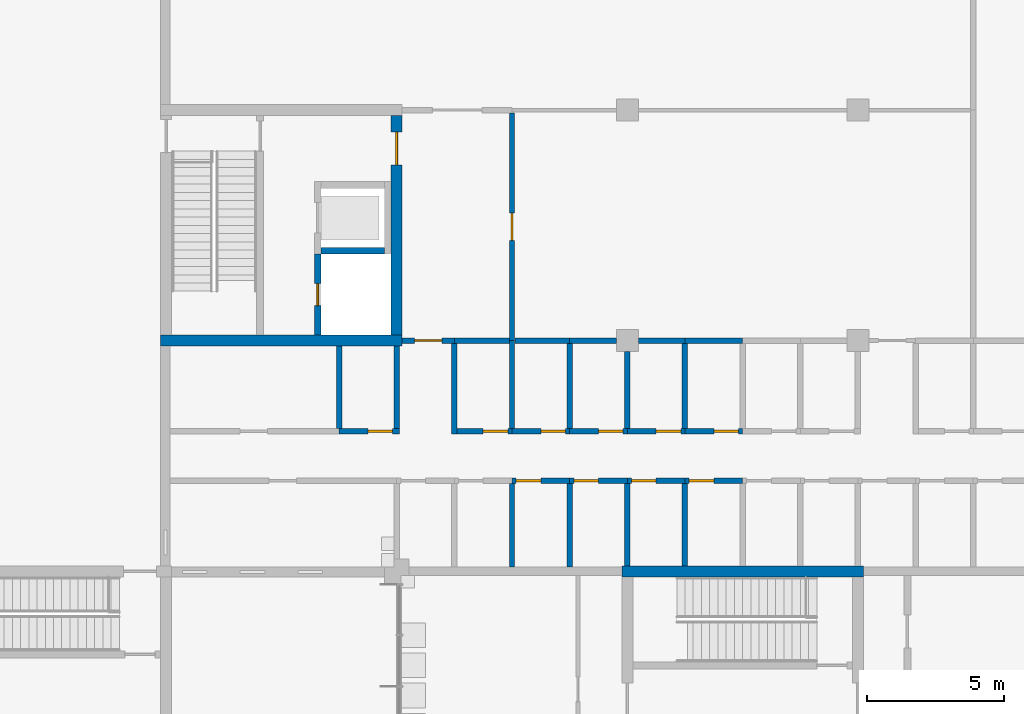
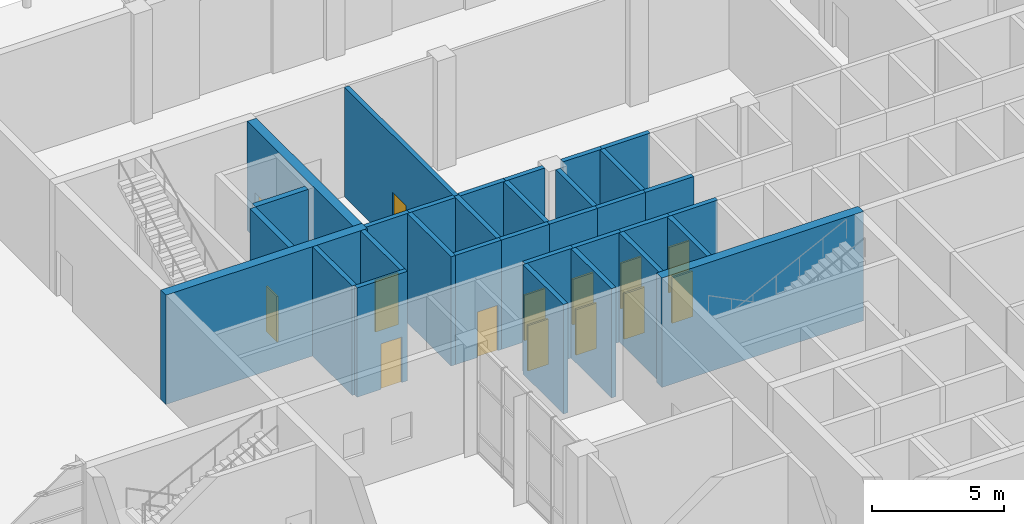
# One storey, part 47 of 76: 33 walls, 14 doors, 14 openings.
"""IFC4 building model written with IfcOpenShell, lengths in metres."""

from ifc_helpers import new_model, si_unit, direction, frame, frame_2d, origin, place, context, subcontext, project, spatial, rectangle, extrude, material, layer, layer_set, type_object, element, fill, save


model = new_model("IFC4")

# Units and contexts
model_context = context("Model", 3, precision=1e-05, world=origin(), true_north=direction((0.0, 1.0)))
body_context = subcontext(model_context, "Body", "Model", "MODEL_VIEW")
ifc_project = project(units=[si_unit("LENGTHUNIT", "METRE"), si_unit("AREAUNIT", "SQUARE_METRE"), si_unit("VOLUMEUNIT", "CUBIC_METRE"), si_unit("PLANEANGLEUNIT", "RADIAN"), si_unit("MASSUNIT", "GRAM", prefix="KILO")], contexts=[model_context])

# Site, building, storey
site_placement = place(None, origin())
site = spatial("IfcSite", under=ifc_project, at=site_placement, CompositionType="ELEMENT")
building_placement = place(site_placement, origin())
building = spatial("IfcBuilding", under=site, at=building_placement, Name="Hlaing Beacon Police Headquarters", CompositionType="ELEMENT")
storey_placement = place(building_placement, origin())
storey = spatial("IfcBuildingStorey", under=building, at=storey_placement, Name="L00", CompositionType="ELEMENT", Elevation=0.0)

# Walls
ifc_material_1 = material(Name="Concrete C60/75", Category="concrete")
ifc_layer_1 = layer(ifc_material_1, 0.39990234375)
ifc_layer_set_1 = layer_set([ifc_layer_1], Name="Concrete C60/75")
wall_type_1 = type_object("IfcWallType", Name="Core shear wall 400", PredefinedType="SHEAR", material=ifc_layer_set_1)
for number, where, z_axis, x_axis, name in (
    (1, (109.0, 67.199951171875, 0.0), (0.0, 0.0, 1.0), (1.0, 0.0, 0.0), "Core shear wall"),
    (2, (92.199951171875, 75.60009765625, 0.0), (0.0, 0.0, 1.0), (1.0, 0.0, 0.0), "Core shear wall"),
):
    element("IfcWall", number, at=place(storey_placement, frame(where, z_axis=z_axis, x_axis=x_axis)), inside=storey, type_object=wall_type_1, Name=name, PredefinedType="SHEAR", context=body_context, shape_type="SweptSolid", body=[
        extrude(rectangle(XDim=8.800048828125, YDim=0.39990234375, at=frame_2d((4.39990234375, 0.0))), origin(), (0.0, 0.0, 1.0), 5.050048828125),
    ])

# Wall, opening, door
wall_1_placement = place(storey_placement, frame((100.800048828125, 75.800048828125, 0.0), z_axis=(0.0, 0.0, 1.0), x_axis=(0.0, 1.0, 0.0)))
wall_1 = element("IfcWall", 3, at=wall_1_placement, inside=storey, type_object=wall_type_1, Name="Core shear wall", PredefinedType="SHEAR", context=body_context, shape_type="SweptSolid", body=[
    extrude(rectangle(XDim=8.0, YDim=0.39990234375, at=frame_2d((4.0, 0.0))), origin(), (0.0, 0.0, 1.0), 5.050048828125),
])
opening_1_placement = place(wall_1_placement, frame((6.199951171875, 0.0, 0.0)))
opening_1 = element("IfcOpeningElement", 4, at=opening_1_placement, cuts=wall_1, Name="Opening L00-977", PredefinedType="OPENING", context=body_context, shape_type="SweptSolid", body=[
    extrude(rectangle(XDim=1.199951171875, YDim=2.10009765625, at=frame_2d((0.60009765625, 1.050048828125))), frame((0.0, 0.2099609375, 0.0), z_axis=(0.0, -1.0, 0.0), x_axis=(1.0, 0.0, 0.0)), (0.0, 0.0, 1.0), 0.419921875),
])
ifc_material_2 = material(Name="Steel fire door leaf", Category="steel")
ifc_layer_2 = layer(ifc_material_2, 0.070068359375)
ifc_layer_set_2 = layer_set([ifc_layer_2], Name="Steel fire door leaf")
door_type_1 = type_object("IfcDoorType", Name="Steel fire door FD60S 1200x2100", OperationType="SINGLE_SWING_LEFT", PredefinedType="DOOR", material=ifc_layer_set_2)
door_1_placement = place(opening_1_placement, origin())
door_1 = element("IfcDoor", 5, at=door_1_placement, inside=storey, type_object=door_type_1, Name="Door Lift and Stair Lobby ST-Q Entry", OperationType="SINGLE_SWING_RIGHT", OverallHeight=2.10009765625, OverallWidth=1.199951171875, PredefinedType="DOOR", context=body_context, shape_type="SweptSolid", body=[
    extrude(rectangle(XDim=1.199951171875, YDim=2.10009765625, at=frame_2d((0.60009765625, 1.050048828125))), frame((0.0, 0.03515625, 0.0), z_axis=(0.0, -1.0, 0.0), x_axis=(1.0, 0.0, 0.0)), (0.0, 0.0, 1.0), 0.070068359375),
])
fill(opening_1, door_1)

# Walls
ifc_material_3 = material(Name="Concrete blockwork 7.5 N/mm2", Category="masonry")
ifc_layer_3 = layer(ifc_material_3, 0.199951171875)
ifc_layer_set_3 = layer_set([ifc_layer_3], Name="Concrete blockwork 7.5 N/mm2")
wall_type_2 = type_object("IfcWallType", Name="Custody wall EI 60 200", PredefinedType="PARTITIONING", material=ifc_layer_set_3)
wall_2_placement = place(storey_placement, frame((105.10009765625, 75.60009765625, 0.0), z_axis=(0.0, 0.0, 1.0), x_axis=(1.0, 0.0, 0.0)))
element("IfcWall", 6, at=wall_2_placement, inside=storey, type_object=wall_type_2, Name="Custody wall EI 60 200", PredefinedType="PARTITIONING", context=body_context, shape_type="SweptSolid", body=[
    extrude(rectangle(XDim=2.0, YDim=0.199951171875, at=frame_2d((1.0, 0.0))), origin(), (0.0, 0.0, 1.0), 5.050048828125),
])
for number, where, z_axis, x_axis, name in (
    (7, (107.10009765625, 75.60009765625, 0.0), (0.0, 0.0, 1.0), (1.0, 0.0, 0.0), "Custody wall EI 60 200"),
    (8, (109.60009765625, 75.60009765625, 0.0), (0.0, 0.0, 1.0), (1.0, 0.0, 0.0), "Custody wall EI 60 200"),
):
    element("IfcWall", number, at=place(storey_placement, frame(where, z_axis=z_axis, x_axis=x_axis)), inside=storey, type_object=wall_type_2, Name=name, PredefinedType="PARTITIONING", context=body_context, shape_type="SweptSolid", body=[
        extrude(rectangle(XDim=1.699951171875, YDim=0.199951171875, at=frame_2d((0.85009765625, 0.0))), origin(), (0.0, 0.0, 1.0), 5.050048828125),
    ])
wall_3_placement = place(storey_placement, frame((111.300048828125, 75.60009765625, 0.0), z_axis=(0.0, 0.0, 1.0), x_axis=(1.0, 0.0, 0.0)))
element("IfcWall", 9, at=wall_3_placement, inside=storey, type_object=wall_type_2, Name="Custody wall EI 60 200", PredefinedType="PARTITIONING", context=body_context, shape_type="SweptSolid", body=[
    extrude(rectangle(XDim=2.099853515625, YDim=0.199951171875, at=frame_2d((1.0498046875, 0.0))), origin(), (0.0, 0.0, 1.0), 5.050048828125),
])

# Wall, opening, door
wall_4_placement = place(storey_placement, frame((98.699951171875, 72.300048828125, 0.0), z_axis=(0.0, 0.0, 1.0), x_axis=(1.0, 0.0, 0.0)))
wall_4 = element("IfcWall", 10, at=wall_4_placement, inside=storey, type_object=wall_type_2, Name="Custody wall EI 60 200", PredefinedType="PARTITIONING", context=body_context, shape_type="SweptSolid", body=[
    extrude(rectangle(XDim=2.199951171875, YDim=0.199951171875, at=frame_2d((1.10009765625, 0.0))), origin(), (0.0, 0.0, 1.0), 5.050048828125),
])
opening_2_placement = place(wall_4_placement, frame((1.050048828125, 0.0, 0.0)))
opening_2 = element("IfcOpeningElement", 11, at=opening_2_placement, cuts=wall_4, Name="Opening L00-079", PredefinedType="OPENING", context=body_context, shape_type="SweptSolid", body=[
    extrude(rectangle(XDim=0.89990234375, YDim=2.10009765625, at=frame_2d((0.449951171875, 1.050048828125))), frame((0.0, 0.10986328125, 0.0), z_axis=(0.0, -1.0, 0.0), x_axis=(1.0, 0.0, 0.0)), (0.0, 0.0, 1.0), 0.219970703125),
])
ifc_material_4 = material(Name="Steel security door leaf", Category="steel")
ifc_layer_4 = layer(ifc_material_4, 0.080078125)
ifc_layer_set_4 = layer_set([ifc_layer_4], Name="Steel security door leaf")
door_type_2 = type_object("IfcDoorType", Name="Steel cell door FD30 900x2100", OperationType="SINGLE_SWING_LEFT", PredefinedType="DOOR", material=ifc_layer_set_4)
door_2_placement = place(opening_2_placement, origin())
door_2 = element("IfcDoor", 12, at=door_2_placement, inside=storey, type_object=door_type_2, Name="Door Cell 13", OperationType="SINGLE_SWING_LEFT", OverallHeight=2.10009765625, OverallWidth=0.89990234375, PredefinedType="DOOR", context=body_context, shape_type="SweptSolid", body=[
    extrude(rectangle(XDim=0.89990234375, YDim=2.10009765625, at=frame_2d((0.449951171875, 1.050048828125))), frame((0.0, 0.0400390625, 0.0), z_axis=(0.0, -1.0, 0.0), x_axis=(1.0, 0.0, 0.0)), (0.0, 0.0, 1.0), 0.080078125),
])
fill(opening_2, door_2)

# Walls
wall_5_placement = place(storey_placement, frame((100.800048828125, 72.39990234375, 0.0), z_axis=(0.0, 0.0, 1.0), x_axis=(0.0, 1.0, 0.0)))
element("IfcWall", 13, at=wall_5_placement, inside=storey, type_object=wall_type_2, Name="Custody wall EI 60 200", PredefinedType="PARTITIONING", context=body_context, shape_type="SweptSolid", body=[
    extrude(rectangle(XDim=3.0, YDim=0.199951171875, at=frame_2d((1.5, 0.0))), origin(), (0.0, 0.0, 1.0), 5.050048828125),
])
wall_6_placement = place(storey_placement, frame((102.89990234375, 72.199951171875, 0.0), z_axis=(0.0, 0.0, 1.0), x_axis=(0.0, 1.0, 0.0)))
element("IfcWall", 14, at=wall_6_placement, inside=storey, type_object=wall_type_2, Name="Custody wall EI 60 200", PredefinedType="PARTITIONING", context=body_context, shape_type="SweptSolid", body=[
    extrude(rectangle(XDim=3.300048828125, YDim=0.199951171875, at=frame_2d((1.64990234375, 0.0))), origin(), (0.0, 0.0, 1.0), 5.050048828125),
])

# Wall, opening, door
wall_7_placement = place(storey_placement, frame((103.0, 72.300048828125, 0.0), z_axis=(0.0, 0.0, 1.0), x_axis=(1.0, 0.0, 0.0)))
wall_7 = element("IfcWall", 15, at=wall_7_placement, inside=storey, type_object=wall_type_2, Name="Custody wall EI 60 200", PredefinedType="PARTITIONING", context=body_context, shape_type="SweptSolid", body=[
    extrude(rectangle(XDim=2.0, YDim=0.199951171875, at=frame_2d((1.0, 0.0))), origin(), (0.0, 0.0, 1.0), 5.050048828125),
])
opening_3_placement = place(wall_7_placement, frame((0.949951171875, 0.0, 0.0)))
opening_3 = element("IfcOpeningElement", 16, at=opening_3_placement, cuts=wall_7, Name="Opening L00-080", PredefinedType="OPENING", context=body_context, shape_type="SweptSolid", body=[
    extrude(rectangle(XDim=0.89990234375, YDim=2.10009765625, at=frame_2d((0.449951171875, 1.050048828125))), frame((0.0, 0.10986328125, 0.0), z_axis=(0.0, -1.0, 0.0), x_axis=(1.0, 0.0, 0.0)), (0.0, 0.0, 1.0), 0.219970703125),
])
door_3_placement = place(opening_3_placement, origin())
door_3 = element("IfcDoor", 17, at=door_3_placement, inside=storey, type_object=door_type_2, Name="Door Cell 14", OperationType="SINGLE_SWING_LEFT", OverallHeight=2.10009765625, OverallWidth=0.89990234375, PredefinedType="DOOR", context=body_context, shape_type="SweptSolid", body=[
    extrude(rectangle(XDim=0.89990234375, YDim=2.10009765625, at=frame_2d((0.449951171875, 1.050048828125))), frame((0.0, 0.0400390625, 0.0), z_axis=(0.0, -1.0, 0.0), x_axis=(1.0, 0.0, 0.0)), (0.0, 0.0, 1.0), 0.080078125),
])
fill(opening_3, door_3)

wall_8_placement = place(storey_placement, frame((105.0, 72.300048828125, 0.0), z_axis=(0.0, 0.0, 1.0), x_axis=(1.0, 0.0, 0.0)))
wall_8 = element("IfcWall", 18, at=wall_8_placement, inside=storey, type_object=wall_type_2, Name="Custody wall EI 60 200", PredefinedType="PARTITIONING", context=body_context, shape_type="SweptSolid", body=[
    extrude(rectangle(XDim=2.10009765625, YDim=0.199951171875, at=frame_2d((1.050048828125, 0.0))), origin(), (0.0, 0.0, 1.0), 5.050048828125),
])
opening_4_placement = place(wall_8_placement, frame((1.050048828125, 0.0, 0.0)))
opening_4 = element("IfcOpeningElement", 19, at=opening_4_placement, cuts=wall_8, Name="Opening L00-082", PredefinedType="OPENING", context=body_context, shape_type="SweptSolid", body=[
    extrude(rectangle(XDim=0.89990234375, YDim=2.10009765625, at=frame_2d((0.449951171875, 1.050048828125))), frame((0.0, 0.10986328125, 0.0), z_axis=(0.0, -1.0, 0.0), x_axis=(1.0, 0.0, 0.0)), (0.0, 0.0, 1.0), 0.219970703125),
])
door_4_placement = place(opening_4_placement, origin())
door_4 = element("IfcDoor", 20, at=door_4_placement, inside=storey, type_object=door_type_2, Name="Door Cell 15", OperationType="SINGLE_SWING_LEFT", OverallHeight=2.10009765625, OverallWidth=0.89990234375, PredefinedType="DOOR", context=body_context, shape_type="SweptSolid", body=[
    extrude(rectangle(XDim=0.89990234375, YDim=2.10009765625, at=frame_2d((0.449951171875, 1.050048828125))), frame((0.0, 0.0400390625, 0.0), z_axis=(0.0, -1.0, 0.0), x_axis=(1.0, 0.0, 0.0)), (0.0, 0.0, 1.0), 0.080078125),
])
fill(opening_4, door_4)

wall_9_placement = place(storey_placement, frame((107.10009765625, 72.300048828125, 0.0), z_axis=(0.0, 0.0, 1.0), x_axis=(1.0, 0.0, 0.0)))
wall_9 = element("IfcWall", 21, at=wall_9_placement, inside=storey, type_object=wall_type_2, Name="Custody wall EI 60 200", PredefinedType="PARTITIONING", context=body_context, shape_type="SweptSolid", body=[
    extrude(rectangle(XDim=2.099853515625, YDim=0.199951171875, at=frame_2d((1.0498046875, 0.0))), origin(), (0.0, 0.0, 1.0), 5.050048828125),
])
opening_5_placement = place(wall_9_placement, frame((1.050048828125, 0.0, 0.0)))
opening_5 = element("IfcOpeningElement", 22, at=opening_5_placement, cuts=wall_9, Name="Opening L00-083", PredefinedType="OPENING", context=body_context, shape_type="SweptSolid", body=[
    extrude(rectangle(XDim=0.89990234375, YDim=2.10009765625, at=frame_2d((0.449951171875, 1.050048828125))), frame((0.0, 0.10986328125, 0.0), z_axis=(0.0, -1.0, 0.0), x_axis=(1.0, 0.0, 0.0)), (0.0, 0.0, 1.0), 0.219970703125),
])
door_5_placement = place(opening_5_placement, origin())
door_5 = element("IfcDoor", 23, at=door_5_placement, inside=storey, type_object=door_type_2, Name="Door Cell 16", OperationType="SINGLE_SWING_LEFT", OverallHeight=2.10009765625, OverallWidth=0.89990234375, PredefinedType="DOOR", context=body_context, shape_type="SweptSolid", body=[
    extrude(rectangle(XDim=0.89990234375, YDim=2.10009765625, at=frame_2d((0.449951171875, 1.050048828125))), frame((0.0, 0.0400390625, 0.0), z_axis=(0.0, -1.0, 0.0), x_axis=(1.0, 0.0, 0.0)), (0.0, 0.0, 1.0), 0.080078125),
])
fill(opening_5, door_5)

wall_10_placement = place(storey_placement, frame((109.199951171875, 72.300048828125, 0.0), z_axis=(0.0, 0.0, 1.0), x_axis=(1.0, 0.0, 0.0)))
wall_10 = element("IfcWall", 24, at=wall_10_placement, inside=storey, type_object=wall_type_2, Name="Custody wall EI 60 200", PredefinedType="PARTITIONING", context=body_context, shape_type="SweptSolid", body=[
    extrude(rectangle(XDim=2.10009765625, YDim=0.199951171875, at=frame_2d((1.050048828125, 0.0))), origin(), (0.0, 0.0, 1.0), 5.050048828125),
])
opening_6_placement = place(wall_10_placement, frame((1.050048828125, 0.0, 0.0)))
opening_6 = element("IfcOpeningElement", 25, at=opening_6_placement, cuts=wall_10, Name="Opening L00-084", PredefinedType="OPENING", context=body_context, shape_type="SweptSolid", body=[
    extrude(rectangle(XDim=0.89990234375, YDim=2.10009765625, at=frame_2d((0.449951171875, 1.050048828125))), frame((0.0, 0.10986328125, 0.0), z_axis=(0.0, -1.0, 0.0), x_axis=(1.0, 0.0, 0.0)), (0.0, 0.0, 1.0), 0.219970703125),
])
door_6_placement = place(opening_6_placement, origin())
door_6 = element("IfcDoor", 26, at=door_6_placement, inside=storey, type_object=door_type_2, Name="Door Cell 17", OperationType="SINGLE_SWING_LEFT", OverallHeight=2.10009765625, OverallWidth=0.89990234375, PredefinedType="DOOR", context=body_context, shape_type="SweptSolid", body=[
    extrude(rectangle(XDim=0.89990234375, YDim=2.10009765625, at=frame_2d((0.449951171875, 1.050048828125))), frame((0.0, 0.0400390625, 0.0), z_axis=(0.0, -1.0, 0.0), x_axis=(1.0, 0.0, 0.0)), (0.0, 0.0, 1.0), 0.080078125),
])
fill(opening_6, door_6)

wall_11_placement = place(storey_placement, frame((111.300048828125, 72.300048828125, 0.0), z_axis=(0.0, 0.0, 1.0), x_axis=(1.0, 0.0, 0.0)))
wall_11 = element("IfcWall", 27, at=wall_11_placement, inside=storey, type_object=wall_type_2, Name="Custody wall EI 60 200", PredefinedType="PARTITIONING", context=body_context, shape_type="SweptSolid", body=[
    extrude(rectangle(XDim=2.099853515625, YDim=0.199951171875, at=frame_2d((1.0498046875, 0.0))), origin(), (0.0, 0.0, 1.0), 5.050048828125),
])
opening_7_placement = place(wall_11_placement, frame((1.050048828125, 0.0, 0.0)))
opening_7 = element("IfcOpeningElement", 28, at=opening_7_placement, cuts=wall_11, Name="Opening L00-085", PredefinedType="OPENING", context=body_context, shape_type="SweptSolid", body=[
    extrude(rectangle(XDim=0.89990234375, YDim=2.10009765625, at=frame_2d((0.449951171875, 1.050048828125))), frame((0.0, 0.10986328125, 0.0), z_axis=(0.0, -1.0, 0.0), x_axis=(1.0, 0.0, 0.0)), (0.0, 0.0, 1.0), 0.219970703125),
])
door_7_placement = place(opening_7_placement, origin())
door_7 = element("IfcDoor", 29, at=door_7_placement, inside=storey, type_object=door_type_2, Name="Door Cell 18", OperationType="SINGLE_SWING_LEFT", OverallHeight=2.10009765625, OverallWidth=0.89990234375, PredefinedType="DOOR", context=body_context, shape_type="SweptSolid", body=[
    extrude(rectangle(XDim=0.89990234375, YDim=2.10009765625, at=frame_2d((0.449951171875, 1.050048828125))), frame((0.0, 0.0400390625, 0.0), z_axis=(0.0, -1.0, 0.0), x_axis=(1.0, 0.0, 0.0)), (0.0, 0.0, 1.0), 0.080078125),
])
fill(opening_7, door_7)

wall_12_placement = place(storey_placement, frame((105.0, 70.5, 0.0), z_axis=(0.0, 0.0, 1.0), x_axis=(1.0, 0.0, 0.0)))
wall_12 = element("IfcWall", 30, at=wall_12_placement, inside=storey, type_object=wall_type_2, Name="Custody wall EI 60 200", PredefinedType="PARTITIONING", context=body_context, shape_type="SweptSolid", body=[
    extrude(rectangle(XDim=2.10009765625, YDim=0.199951171875, at=frame_2d((1.050048828125, 0.0))), origin(), (0.0, 0.0, 1.0), 5.050048828125),
])
opening_8_placement = place(wall_12_placement, frame((0.14990234375, 0.0, 0.0)))
opening_8 = element("IfcOpeningElement", 31, at=opening_8_placement, cuts=wall_12, Name="Opening L00-094", PredefinedType="OPENING", context=body_context, shape_type="SweptSolid", body=[
    extrude(rectangle(XDim=0.89990234375, YDim=2.10009765625, at=frame_2d((0.449951171875, 1.050048828125))), frame((0.0, 0.10986328125, 0.0), z_axis=(0.0, -1.0, 0.0), x_axis=(1.0, 0.0, 0.0)), (0.0, 0.0, 1.0), 0.219970703125),
])
door_8_placement = place(opening_8_placement, frame((0.89990234375, 0.0, 0.0), z_axis=(0.0, 0.0, 1.0), x_axis=(-1.0, 0.0, 0.0)))
door_8 = element("IfcDoor", 32, at=door_8_placement, inside=storey, type_object=door_type_2, Name="Door Cell 03", OperationType="SINGLE_SWING_LEFT", OverallHeight=2.10009765625, OverallWidth=0.89990234375, PredefinedType="DOOR", context=body_context, shape_type="SweptSolid", body=[
    extrude(rectangle(XDim=0.89990234375, YDim=2.10009765625, at=frame_2d((0.449951171875, 1.050048828125))), frame((0.0, 0.0400390625, 0.0), z_axis=(0.0, -1.0, 0.0), x_axis=(1.0, 0.0, 0.0)), (0.0, 0.0, 1.0), 0.080078125),
])
fill(opening_8, door_8)

wall_13_placement = place(storey_placement, frame((107.10009765625, 70.5, 0.0), z_axis=(0.0, 0.0, 1.0), x_axis=(1.0, 0.0, 0.0)))
wall_13 = element("IfcWall", 33, at=wall_13_placement, inside=storey, type_object=wall_type_2, Name="Custody wall EI 60 200", PredefinedType="PARTITIONING", context=body_context, shape_type="SweptSolid", body=[
    extrude(rectangle(XDim=2.099853515625, YDim=0.199951171875, at=frame_2d((1.0498046875, 0.0))), origin(), (0.0, 0.0, 1.0), 5.050048828125),
])
opening_9_placement = place(wall_13_placement, frame((0.14990234375, 0.0, 0.0)))
opening_9 = element("IfcOpeningElement", 34, at=opening_9_placement, cuts=wall_13, Name="Opening L00-095", PredefinedType="OPENING", context=body_context, shape_type="SweptSolid", body=[
    extrude(rectangle(XDim=0.89990234375, YDim=2.10009765625, at=frame_2d((0.449951171875, 1.050048828125))), frame((0.0, 0.10986328125, 0.0), z_axis=(0.0, -1.0, 0.0), x_axis=(1.0, 0.0, 0.0)), (0.0, 0.0, 1.0), 0.219970703125),
])
door_9_placement = place(opening_9_placement, frame((0.89990234375, 0.0, 0.0), z_axis=(0.0, 0.0, 1.0), x_axis=(-1.0, 0.0, 0.0)))
door_9 = element("IfcDoor", 35, at=door_9_placement, inside=storey, type_object=door_type_2, Name="Door Cell 04", OperationType="SINGLE_SWING_LEFT", OverallHeight=2.10009765625, OverallWidth=0.89990234375, PredefinedType="DOOR", context=body_context, shape_type="SweptSolid", body=[
    extrude(rectangle(XDim=0.89990234375, YDim=2.10009765625, at=frame_2d((0.449951171875, 1.050048828125))), frame((0.0, 0.0400390625, 0.0), z_axis=(0.0, -1.0, 0.0), x_axis=(1.0, 0.0, 0.0)), (0.0, 0.0, 1.0), 0.080078125),
])
fill(opening_9, door_9)

wall_14_placement = place(storey_placement, frame((109.199951171875, 70.5, 0.0), z_axis=(0.0, 0.0, 1.0), x_axis=(1.0, 0.0, 0.0)))
wall_14 = element("IfcWall", 36, at=wall_14_placement, inside=storey, type_object=wall_type_2, Name="Custody wall EI 60 200", PredefinedType="PARTITIONING", context=body_context, shape_type="SweptSolid", body=[
    extrude(rectangle(XDim=2.10009765625, YDim=0.199951171875, at=frame_2d((1.050048828125, 0.0))), origin(), (0.0, 0.0, 1.0), 5.050048828125),
])
opening_10_placement = place(wall_14_placement, frame((0.14990234375, 0.0, 0.0)))
opening_10 = element("IfcOpeningElement", 37, at=opening_10_placement, cuts=wall_14, Name="Opening L00-096", PredefinedType="OPENING", context=body_context, shape_type="SweptSolid", body=[
    extrude(rectangle(XDim=0.89990234375, YDim=2.10009765625, at=frame_2d((0.449951171875, 1.050048828125))), frame((0.0, 0.10986328125, 0.0), z_axis=(0.0, -1.0, 0.0), x_axis=(1.0, 0.0, 0.0)), (0.0, 0.0, 1.0), 0.219970703125),
])
door_10_placement = place(opening_10_placement, frame((0.89990234375, 0.0, 0.0), z_axis=(0.0, 0.0, 1.0), x_axis=(-1.0, 0.0, 0.0)))
door_10 = element("IfcDoor", 38, at=door_10_placement, inside=storey, type_object=door_type_2, Name="Door Cell 05", OperationType="SINGLE_SWING_LEFT", OverallHeight=2.10009765625, OverallWidth=0.89990234375, PredefinedType="DOOR", context=body_context, shape_type="SweptSolid", body=[
    extrude(rectangle(XDim=0.89990234375, YDim=2.10009765625, at=frame_2d((0.449951171875, 1.050048828125))), frame((0.0, 0.0400390625, 0.0), z_axis=(0.0, -1.0, 0.0), x_axis=(1.0, 0.0, 0.0)), (0.0, 0.0, 1.0), 0.080078125),
])
fill(opening_10, door_10)

wall_15_placement = place(storey_placement, frame((111.300048828125, 70.5, 0.0), z_axis=(0.0, 0.0, 1.0), x_axis=(1.0, 0.0, 0.0)))
wall_15 = element("IfcWall", 39, at=wall_15_placement, inside=storey, type_object=wall_type_2, Name="Custody wall EI 60 200", PredefinedType="PARTITIONING", context=body_context, shape_type="SweptSolid", body=[
    extrude(rectangle(XDim=2.099853515625, YDim=0.199951171875, at=frame_2d((1.0498046875, 0.0))), origin(), (0.0, 0.0, 1.0), 5.050048828125),
])
opening_11_placement = place(wall_15_placement, frame((0.14990234375, 0.0, 0.0)))
opening_11 = element("IfcOpeningElement", 40, at=opening_11_placement, cuts=wall_15, Name="Opening L00-097", PredefinedType="OPENING", context=body_context, shape_type="SweptSolid", body=[
    extrude(rectangle(XDim=0.89990234375, YDim=2.10009765625, at=frame_2d((0.449951171875, 1.050048828125))), frame((0.0, 0.10986328125, 0.0), z_axis=(0.0, -1.0, 0.0), x_axis=(1.0, 0.0, 0.0)), (0.0, 0.0, 1.0), 0.219970703125),
])
door_11_placement = place(opening_11_placement, frame((0.89990234375, 0.0, 0.0), z_axis=(0.0, 0.0, 1.0), x_axis=(-1.0, 0.0, 0.0)))
door_11 = element("IfcDoor", 41, at=door_11_placement, inside=storey, type_object=door_type_2, Name="Door Cell 06", OperationType="SINGLE_SWING_LEFT", OverallHeight=2.10009765625, OverallWidth=0.89990234375, PredefinedType="DOOR", context=body_context, shape_type="SweptSolid", body=[
    extrude(rectangle(XDim=0.89990234375, YDim=2.10009765625, at=frame_2d((0.449951171875, 1.050048828125))), frame((0.0, 0.0400390625, 0.0), z_axis=(0.0, -1.0, 0.0), x_axis=(1.0, 0.0, 0.0)), (0.0, 0.0, 1.0), 0.080078125),
])
fill(opening_11, door_11)

# Walls
wall_16_placement = place(storey_placement, frame((98.699951171875, 72.39990234375, 0.0), z_axis=(0.0, 0.0, 1.0), x_axis=(0.0, 1.0, 0.0)))
element("IfcWall", 42, at=wall_16_placement, inside=storey, type_object=wall_type_2, Name="Custody wall EI 60 200", PredefinedType="PARTITIONING", context=body_context, shape_type="SweptSolid", body=[
    extrude(rectangle(XDim=3.0, YDim=0.199951171875, at=frame_2d((1.5, 0.0))), origin(), (0.0, 0.0, 1.0), 5.050048828125),
])
wall_17_placement = place(storey_placement, frame((105.0, 72.39990234375, 0.0), z_axis=(0.0, 0.0, 1.0), x_axis=(0.0, 1.0, 0.0)))
element("IfcWall", 43, at=wall_17_placement, inside=storey, type_object=wall_type_2, Name="Custody wall EI 60 200", PredefinedType="PARTITIONING", context=body_context, shape_type="SweptSolid", body=[
    extrude(rectangle(XDim=3.2001953125, YDim=0.199951171875, at=frame_2d((1.60009765625, 0.0))), origin(), (0.0, 0.0, 1.0), 5.050048828125),
])
wall_18_placement = place(storey_placement, frame((107.10009765625, 72.39990234375, 0.0), z_axis=(0.0, 0.0, 1.0), x_axis=(0.0, 1.0, 0.0)))
element("IfcWall", 44, at=wall_18_placement, inside=storey, type_object=wall_type_2, Name="Custody wall EI 60 200", PredefinedType="PARTITIONING", context=body_context, shape_type="SweptSolid", body=[
    extrude(rectangle(XDim=3.10009765625, YDim=0.199951171875, at=frame_2d((1.550048828125, 0.0))), origin(), (0.0, 0.0, 1.0), 5.050048828125),
])
wall_19_placement = place(storey_placement, frame((109.199951171875, 72.39990234375, 0.0), z_axis=(0.0, 0.0, 1.0), x_axis=(0.0, 1.0, 0.0)))
element("IfcWall", 45, at=wall_19_placement, inside=storey, type_object=wall_type_2, Name="Custody wall EI 60 200", PredefinedType="PARTITIONING", context=body_context, shape_type="SweptSolid", body=[
    extrude(rectangle(XDim=2.800048828125, YDim=0.199951171875, at=frame_2d((1.39990234375, 0.0))), origin(), (0.0, 0.0, 1.0), 5.050048828125),
])
wall_20_placement = place(storey_placement, frame((111.300048828125, 72.39990234375, 0.0), z_axis=(0.0, 0.0, 1.0), x_axis=(0.0, 1.0, 0.0)))
element("IfcWall", 46, at=wall_20_placement, inside=storey, type_object=wall_type_2, Name="Custody wall EI 60 200", PredefinedType="PARTITIONING", context=body_context, shape_type="SweptSolid", body=[
    extrude(rectangle(XDim=3.10009765625, YDim=0.199951171875, at=frame_2d((1.550048828125, 0.0))), origin(), (0.0, 0.0, 1.0), 5.050048828125),
])
for number, where, z_axis, x_axis, name in (
    (47, (105.0, 67.35009765625, 0.0), (0.0, 0.0, 1.0), (0.0, 1.0, 0.0), "Custody wall EI 60 200"),
    (48, (107.10009765625, 67.35009765625, 0.0), (0.0, 0.0, 1.0), (0.0, 1.0, 0.0), "Custody wall EI 60 200"),
):
    element("IfcWall", number, at=place(storey_placement, frame(where, z_axis=z_axis, x_axis=x_axis)), inside=storey, type_object=wall_type_2, Name=name, PredefinedType="PARTITIONING", context=body_context, shape_type="SweptSolid", body=[
        extrude(rectangle(XDim=3.0498046875, YDim=0.199951171875, at=frame_2d((1.52490234375, 0.0))), origin(), (0.0, 0.0, 1.0), 5.050048828125),
    ])
for number, where, z_axis, x_axis, name in (
    (49, (109.199951171875, 67.39990234375, 0.0), (0.0, 0.0, 1.0), (0.0, 1.0, 0.0), "Custody wall EI 60 200"),
    (50, (111.300048828125, 67.39990234375, 0.0), (0.0, 0.0, 1.0), (0.0, 1.0, 0.0), "Custody wall EI 60 200"),
):
    element("IfcWall", number, at=place(storey_placement, frame(where, z_axis=z_axis, x_axis=x_axis)), inside=storey, type_object=wall_type_2, Name=name, PredefinedType="PARTITIONING", context=body_context, shape_type="SweptSolid", body=[
        extrude(rectangle(XDim=3.0, YDim=0.199951171875, at=frame_2d((1.5, 0.0))), origin(), (0.0, 0.0, 1.0), 5.050048828125),
    ])

# Wall, opening, door
ifc_material_5 = material(Name="Concrete blockwork 7.5 N/mm2", Category="masonry")
ifc_layer_5 = layer(ifc_material_5, 0.199951171875)
ifc_layer_set_5 = layer_set([ifc_layer_5], Name="Concrete blockwork 7.5 N/mm2")
wall_type_3 = type_object("IfcWallType", Name="Lobby wall EI 120 200", PredefinedType="PARTITIONING", material=ifc_layer_set_5)
wall_21_placement = place(storey_placement, frame((105.0, 75.60009765625, 0.0), z_axis=(0.0, 0.0, 1.0), x_axis=(0.0, 1.0, 0.0)))
wall_21 = element("IfcWall", 51, at=wall_21_placement, inside=storey, type_object=wall_type_3, Name="Lobby wall EI 120 200", PredefinedType="PARTITIONING", context=body_context, shape_type="SweptSolid", body=[
    extrude(rectangle(XDim=8.2998046875, YDim=0.199951171875, at=frame_2d((4.14990234375, 0.0))), origin(), (0.0, 0.0, 1.0), 5.050048828125),
])
opening_12_placement = place(wall_21_placement, frame((3.64990234375, 0.0, 0.0)))
opening_12 = element("IfcOpeningElement", 52, at=opening_12_placement, cuts=wall_21, Name="Opening L00-077", PredefinedType="OPENING", context=body_context, shape_type="SweptSolid", body=[
    extrude(rectangle(XDim=1.0, YDim=2.39990234375, at=frame_2d((0.5, 1.199951171875))), frame((0.0, 0.10986328125, 0.0), z_axis=(0.0, -1.0, 0.0), x_axis=(1.0, 0.0, 0.0)), (0.0, 0.0, 1.0), 0.219970703125),
])
ifc_material_6 = material(Name="Aluminium frame with safety glazing", Category="aluminium")
ifc_layer_6 = layer(ifc_material_6, 0.070068359375)
ifc_layer_set_6 = layer_set([ifc_layer_6], Name="Aluminium frame with safety glazing")
door_type_3 = type_object("IfcDoorType", Name="Fire glazed public door FD60S 1000x2400", OperationType="SINGLE_SWING_LEFT", PredefinedType="DOOR", material=ifc_layer_set_6)
door_12_placement = place(opening_12_placement, frame((1.0, 0.0, 0.0), z_axis=(0.0, 0.0, 1.0), x_axis=(-1.0, 0.0, 0.0)))
door_12 = element("IfcDoor", 53, at=door_12_placement, inside=storey, type_object=door_type_3, Name="Door Custody Suite Charge Desk and Booking Hall", OperationType="SINGLE_SWING_RIGHT", OverallHeight=2.39990234375, OverallWidth=1.0, PredefinedType="DOOR", context=body_context, shape_type="SweptSolid", body=[
    extrude(rectangle(XDim=1.0, YDim=2.39990234375, at=frame_2d((0.5, 1.199951171875))), frame((0.0, 0.034912109375, 0.0), z_axis=(0.0, -1.0, 0.0), x_axis=(1.0, 0.0, 0.0)), (0.0, 0.0, 1.0), 0.070068359375),
])
fill(opening_12, door_12)

wall_22_placement = place(storey_placement, frame((101.0, 75.60009765625, 0.0), z_axis=(0.0, 0.0, 1.0), x_axis=(1.0, 0.0, 0.0)))
wall_22 = element("IfcWall", 54, at=wall_22_placement, inside=storey, type_object=wall_type_3, Name="Lobby wall EI 120 200", PredefinedType="PARTITIONING", context=body_context, shape_type="SweptSolid", body=[
    extrude(rectangle(XDim=1.89990234375, YDim=0.199951171875, at=frame_2d((0.949951171875, 0.0))), origin(), (0.0, 0.0, 1.0), 5.050048828125),
])
opening_13_placement = place(wall_22_placement, frame((0.449951171875, 0.0, 0.0)))
opening_13 = element("IfcOpeningElement", 55, at=opening_13_placement, cuts=wall_22, Name="Opening L00-078", PredefinedType="OPENING", context=body_context, shape_type="SweptSolid", body=[
    extrude(rectangle(XDim=1.0, YDim=2.39990234375, at=frame_2d((0.5, 1.199951171875))), frame((0.0, 0.10986328125, 0.0), z_axis=(0.0, -1.0, 0.0), x_axis=(1.0, 0.0, 0.0)), (0.0, 0.0, 1.0), 0.219970703125),
])
ifc_material_7 = material(Name="Hardwood door leaf", Category="wood")
ifc_layer_7 = layer(ifc_material_7, 0.06005859375)
ifc_layer_set_7 = layer_set([ifc_layer_7], Name="Hardwood door leaf")
door_type_4 = type_object("IfcDoorType", Name="Fire public door FD60S 1000x2400", OperationType="SINGLE_SWING_LEFT", PredefinedType="DOOR", material=ifc_layer_set_7)
door_13_placement = place(opening_13_placement, origin())
door_13 = element("IfcDoor", 56, at=door_13_placement, inside=storey, type_object=door_type_4, Name="Door Custody Suite Lobby", OperationType="SINGLE_SWING_RIGHT", OverallHeight=2.39990234375, OverallWidth=1.0, PredefinedType="DOOR", context=body_context, shape_type="SweptSolid", body=[
    extrude(rectangle(XDim=1.0, YDim=2.39990234375, at=frame_2d((0.5, 1.199951171875))), frame((0.0, 0.030029296875, 0.0), z_axis=(0.0, -1.0, 0.0), x_axis=(1.0, 0.0, 0.0)), (0.0, 0.0, 1.0), 0.06005859375),
])
fill(opening_13, door_13)

# Wall
wall_23_placement = place(storey_placement, frame((102.89990234375, 75.60009765625, 0.0), z_axis=(0.0, 0.0, 1.0), x_axis=(1.0, 0.0, 0.0)))
element("IfcWall", 57, at=wall_23_placement, inside=storey, type_object=wall_type_3, Name="Lobby wall EI 120 200", PredefinedType="PARTITIONING", context=body_context, shape_type="SweptSolid", body=[
    extrude(rectangle(XDim=2.0, YDim=0.199951171875, at=frame_2d((1.0, 0.0))), origin(), (0.0, 0.0, 1.0), 5.050048828125),
])

# Wall, opening, door
ifc_material_8 = material(Name="Concrete C40/50", Category="concrete")
ifc_layer_8 = layer(ifc_material_8, 0.25)
ifc_layer_set_8 = layer_set([ifc_layer_8], Name="Concrete C40/50")
wall_type_4 = type_object("IfcWallType", Name="Shaft wall 250", PredefinedType="SOLIDWALL", material=ifc_layer_set_8)
wall_24_placement = place(storey_placement, frame((97.925048828125, 78.75, 0.0), z_axis=(0.0, 0.0, 1.0), x_axis=(0.0, -1.0, 0.0)))
wall_24 = element("IfcWall", 58, at=wall_24_placement, inside=storey, type_object=wall_type_4, Name="Lobby wall", PredefinedType="SOLIDWALL", context=body_context, shape_type="SweptSolid", body=[
    extrude(rectangle(XDim=2.949951171875, YDim=0.25, at=frame_2d((1.47509765625, 0.0))), origin(), (0.0, 0.0, 1.0), 5.050048828125),
])
opening_14_placement = place(wall_24_placement, frame((1.074951171875, 0.0, 0.0)))
opening_14 = element("IfcOpeningElement", 59, at=opening_14_placement, cuts=wall_24, Name="Opening L00-978", PredefinedType="OPENING", context=body_context, shape_type="SweptSolid", body=[
    extrude(rectangle(XDim=0.800048828125, YDim=2.10009765625, at=frame_2d((0.39990234375, 1.050048828125))), frame((0.0, 0.135009765625, 0.0), z_axis=(0.0, -1.0, 0.0), x_axis=(1.0, 0.0, 0.0)), (0.0, 0.0, 1.0), 0.27001953125),
])
ifc_material_9 = material(Name="Steel fire door leaf", Category="steel")
ifc_layer_9 = layer(ifc_material_9, 0.070068359375)
ifc_layer_set_9 = layer_set([ifc_layer_9], Name="Steel fire door leaf")
door_type_5 = type_object("IfcDoorType", Name="Steel fire door FD60 800x2100", OperationType="SINGLE_SWING_LEFT", PredefinedType="DOOR", material=ifc_layer_set_9)
door_14_placement = place(opening_14_placement, origin())
door_14 = element("IfcDoor", 60, at=door_14_placement, inside=storey, type_object=door_type_5, Name="Door Services Riser", OperationType="SINGLE_SWING_RIGHT", OverallHeight=2.10009765625, OverallWidth=0.800048828125, PredefinedType="DOOR", context=body_context, shape_type="SweptSolid", body=[
    extrude(rectangle(XDim=0.800048828125, YDim=2.10009765625, at=frame_2d((0.39990234375, 1.050048828125))), frame((0.0, 0.03515625, 0.0), z_axis=(0.0, -1.0, 0.0), x_axis=(1.0, 0.0, 0.0)), (0.0, 0.0, 1.0), 0.070068359375),
])
fill(opening_14, door_14)

# Wall
wall_25_placement = place(storey_placement, frame((98.050048828125, 78.875, 0.0), z_axis=(0.0, 0.0, 1.0), x_axis=(1.0, 0.0, 0.0)))
element("IfcWall", 61, at=wall_25_placement, inside=storey, type_object=wall_type_4, Name="Lift shaft wall DL1", PredefinedType="SOLIDWALL", context=body_context, shape_type="SweptSolid", body=[
    extrude(rectangle(XDim=2.300048828125, YDim=0.25, at=frame_2d((1.14990234375, 0.0))), origin(), (0.0, 0.0, 1.0), 5.050048828125),
])

save(model, "model.ifc")
